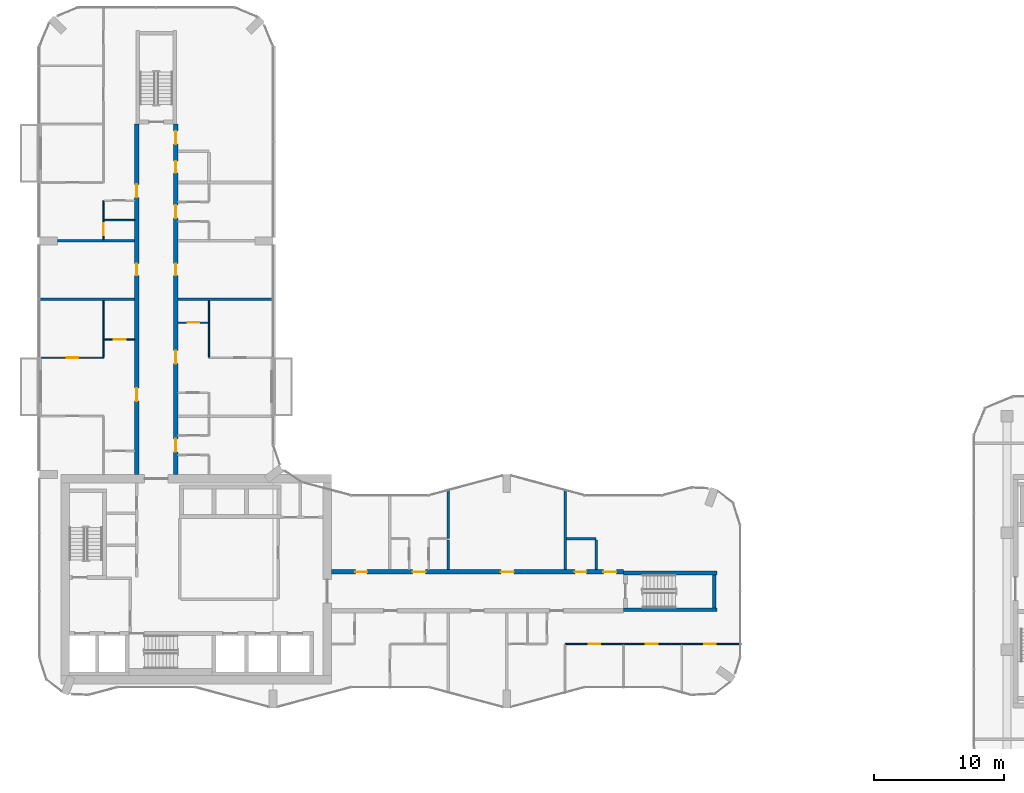
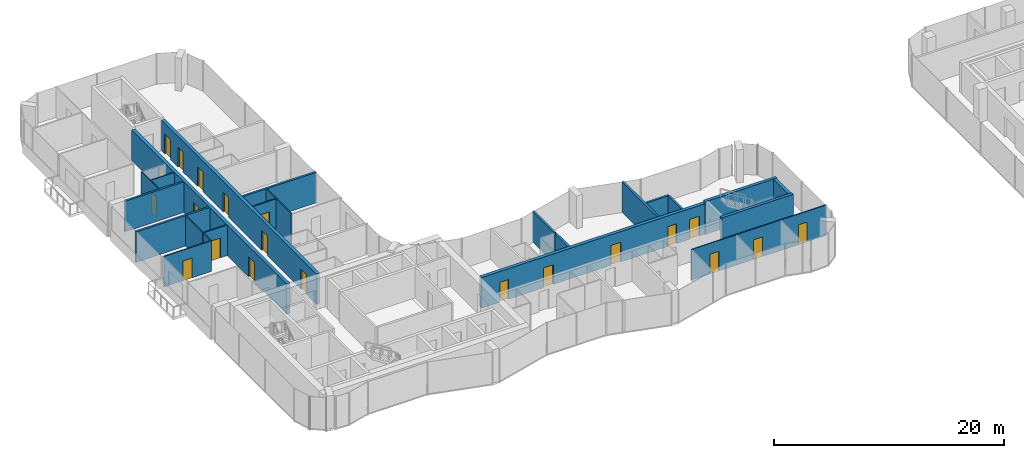
# One storey, part 15 of 22: 24 walls, 21 doors, 21 openings.
"""IFC4 building model written with IfcOpenShell, lengths in metres."""

from ifc_helpers import new_model, si_unit, direction, frame, frame_2d, origin, place, context, subcontext, project, spatial, rectangle, extrude, material, layer, layer_set, type_object, element, fill, save


model = new_model("IFC4")

# Units and contexts
model_context = context("Model", 3, precision=1e-05, world=origin(), true_north=direction((0.0, 1.0)))
body_context = subcontext(model_context, "Body", "Model", "MODEL_VIEW")
ifc_project = project(units=[si_unit("LENGTHUNIT", "METRE"), si_unit("AREAUNIT", "SQUARE_METRE"), si_unit("VOLUMEUNIT", "CUBIC_METRE"), si_unit("PLANEANGLEUNIT", "RADIAN"), si_unit("MASSUNIT", "GRAM", prefix="KILO")], contexts=[model_context])

# Site, building, storey
site_placement = place(None, origin())
site = spatial("IfcSite", under=ifc_project, at=site_placement, CompositionType="ELEMENT")
building_placement = place(site_placement, origin())
building = spatial("IfcBuilding", under=site, at=building_placement, Name="Plateau Cross Towers", CompositionType="ELEMENT")
storey_placement = place(building_placement, frame((0.0, 0.0, 109.800048828125)))
storey = spatial("IfcBuildingStorey", under=building, at=storey_placement, Name="L28", CompositionType="ELEMENT", Elevation=109.800048828125)

# Wall, openings, doors
ifc_material_1 = material(Name="Concrete C60/75", Category="concrete")
ifc_layer_1 = layer(ifc_material_1, 0.324951171875)
ifc_layer_set_1 = layer_set([ifc_layer_1], Name="Concrete C60/75")
wall_type_1 = type_object("IfcWallType", Name="Corridor wall 325", PredefinedType="SHEAR", material=ifc_layer_set_1)
wall_1_placement = place(storey_placement, frame((22.5, 10.5, 0.0), z_axis=(0.0, 0.0, 1.0), x_axis=(1.0, 0.0, 0.0)))
wall_1 = element("IfcWall", 1, at=wall_1_placement, inside=storey, type_object=wall_type_1, Name="A-cw-S2@L28", PredefinedType="SHEAR", context=body_context, shape_type="SweptSolid", body=[
    extrude(rectangle(XDim=22.5, YDim=0.324951171875, at=frame_2d((11.25, 0.0))), origin(), (0.0, 0.0, 1.0), 3.25),
])
opening_1_placement = place(wall_1_placement, frame((1.85009765625, 0.0, 0.0)))
opening_1 = element("IfcOpeningElement", 2, at=opening_1_placement, cuts=wall_1, Name="Opening 28-04", PredefinedType="OPENING", context=body_context, shape_type="SweptSolid", body=[
    extrude(rectangle(XDim=0.89990234375, YDim=2.10009765625, at=frame_2d((0.449951171875, 1.050048828125))), frame((0.0, 0.17236328125, 0.0), z_axis=(0.0, -1.0, 0.0), x_axis=(1.0, 0.0, 0.0)), (0.0, 0.0, 1.0), 0.344970703125),
])
opening_2_placement = place(wall_1_placement, frame((6.25, 0.0, 0.0)))
opening_2 = element("IfcOpeningElement", 3, at=opening_2_placement, cuts=wall_1, Name="Opening 28-05", PredefinedType="OPENING", context=body_context, shape_type="SweptSolid", body=[
    extrude(rectangle(XDim=1.0, YDim=2.10009765625, at=frame_2d((0.5, 1.050048828125))), frame((0.0, 0.17236328125, 0.0), z_axis=(0.0, -1.0, 0.0), x_axis=(1.0, 0.0, 0.0)), (0.0, 0.0, 1.0), 0.344970703125),
])
opening_3_placement = place(wall_1_placement, frame((13.050048828125, 0.0, 0.0)))
opening_3 = element("IfcOpeningElement", 4, at=opening_3_placement, cuts=wall_1, Name="Opening 28-06", PredefinedType="OPENING", context=body_context, shape_type="SweptSolid", body=[
    extrude(rectangle(XDim=1.0, YDim=2.10009765625, at=frame_2d((0.5, 1.050048828125))), frame((0.0, 0.17236328125, 0.0), z_axis=(0.0, -1.0, 0.0), x_axis=(1.0, 0.0, 0.0)), (0.0, 0.0, 1.0), 0.344970703125),
])
opening_4_placement = place(wall_1_placement, frame((18.75, 0.0, 0.0)))
opening_4 = element("IfcOpeningElement", 5, at=opening_4_placement, cuts=wall_1, Name="Opening 28-07", PredefinedType="OPENING", context=body_context, shape_type="SweptSolid", body=[
    extrude(rectangle(XDim=0.89990234375, YDim=2.10009765625, at=frame_2d((0.449951171875, 1.050048828125))), frame((0.0, 0.17236328125, 0.0), z_axis=(0.0, -1.0, 0.0), x_axis=(1.0, 0.0, 0.0)), (0.0, 0.0, 1.0), 0.344970703125),
])
opening_5_placement = place(wall_1_placement, frame((20.949951171875, 0.0, 0.0)))
opening_5 = element("IfcOpeningElement", 6, at=opening_5_placement, cuts=wall_1, Name="Opening 28-08", PredefinedType="OPENING", context=body_context, shape_type="SweptSolid", body=[
    extrude(rectangle(XDim=1.0, YDim=2.10009765625, at=frame_2d((0.5, 1.050048828125))), frame((0.0, 0.17236328125, 0.0), z_axis=(0.0, -1.0, 0.0), x_axis=(1.0, 0.0, 0.0)), (0.0, 0.0, 1.0), 0.344970703125),
])
ifc_material_2 = material(Name="Timber, fire-resisting leaf", Category="wood")
door_type_1 = type_object("IfcDoorType", Name="Flat entrance door 1000", OperationType="NOTDEFINED", PredefinedType="DOOR", material=ifc_material_2)
door_1_placement = place(opening_2_placement, origin())
door_1 = element("IfcDoor", 7, at=door_1_placement, inside=storey, type_object=door_type_1, Name="Door 28-05", OperationType="SINGLE_SWING_LEFT", OverallHeight=2.10009765625, OverallWidth=1.0, PredefinedType="DOOR", context=body_context, shape_type="SweptSolid", body=[
    extrude(rectangle(XDim=1.0, YDim=2.10009765625, at=frame_2d((0.5, 1.050048828125))), frame((0.0, 0.02490234375, 0.0), z_axis=(0.0, -1.0, 0.0), x_axis=(1.0, 0.0, 0.0)), (0.0, 0.0, 1.0), 0.050048828125),
])
fill(opening_2, door_1)
door_2_placement = place(opening_3_placement, origin())
door_2 = element("IfcDoor", 8, at=door_2_placement, inside=storey, type_object=door_type_1, Name="Door 28-06", OperationType="SINGLE_SWING_RIGHT", OverallHeight=2.10009765625, OverallWidth=1.0, PredefinedType="DOOR", context=body_context, shape_type="SweptSolid", body=[
    extrude(rectangle(XDim=1.0, YDim=2.10009765625, at=frame_2d((0.5, 1.050048828125))), frame((0.0, 0.02490234375, 0.0), z_axis=(0.0, -1.0, 0.0), x_axis=(1.0, 0.0, 0.0)), (0.0, 0.0, 1.0), 0.050048828125),
])
fill(opening_3, door_2)
door_3_placement = place(opening_5_placement, origin())
door_3 = element("IfcDoor", 9, at=door_3_placement, inside=storey, type_object=door_type_1, Name="Door 28-08", OperationType="SINGLE_SWING_RIGHT", OverallHeight=2.10009765625, OverallWidth=1.0, PredefinedType="DOOR", context=body_context, shape_type="SweptSolid", body=[
    extrude(rectangle(XDim=1.0, YDim=2.10009765625, at=frame_2d((0.5, 1.050048828125))), frame((0.0, 0.02490234375, 0.0), z_axis=(0.0, -1.0, 0.0), x_axis=(1.0, 0.0, 0.0)), (0.0, 0.0, 1.0), 0.050048828125),
])
fill(opening_5, door_3)
door_type_2 = type_object("IfcDoorType", Name="Flat floor service door 900", OperationType="NOTDEFINED", PredefinedType="DOOR", material=ifc_material_2)
door_4_placement = place(opening_1_placement, origin())
door_4 = element("IfcDoor", 10, at=door_4_placement, inside=storey, type_object=door_type_2, Name="Door 28-04", OperationType="SINGLE_SWING_LEFT", OverallHeight=2.10009765625, OverallWidth=0.89990234375, PredefinedType="DOOR", context=body_context, shape_type="SweptSolid", body=[
    extrude(rectangle(XDim=0.89990234375, YDim=2.10009765625, at=frame_2d((0.449951171875, 1.050048828125))), frame((0.0, 0.02490234375, 0.0), z_axis=(0.0, -1.0, 0.0), x_axis=(1.0, 0.0, 0.0)), (0.0, 0.0, 1.0), 0.050048828125),
])
fill(opening_1, door_4)
door_5_placement = place(opening_4_placement, origin())
door_5 = element("IfcDoor", 11, at=door_5_placement, inside=storey, type_object=door_type_2, Name="Door 28-07", OperationType="SINGLE_SWING_RIGHT", OverallHeight=2.10009765625, OverallWidth=0.89990234375, PredefinedType="DOOR", context=body_context, shape_type="SweptSolid", body=[
    extrude(rectangle(XDim=0.89990234375, YDim=2.10009765625, at=frame_2d((0.449951171875, 1.050048828125))), frame((0.0, 0.02490234375, 0.0), z_axis=(0.0, -1.0, 0.0), x_axis=(1.0, 0.0, 0.0)), (0.0, 0.0, 1.0), 0.050048828125),
])
fill(opening_4, door_5)

wall_2_placement = place(storey_placement, frame((7.5, 18.0, 0.0), z_axis=(0.0, 0.0, 1.0), x_axis=(0.0, 1.0, 0.0)))
wall_2 = element("IfcWall", 12, at=wall_2_placement, inside=storey, type_object=wall_type_1, Name="A-cw-W1@L28", PredefinedType="SHEAR", context=body_context, shape_type="SweptSolid", body=[
    extrude(rectangle(XDim=27.0, YDim=0.324951171875, at=frame_2d((13.5, 0.0))), origin(), (0.0, 0.0, 1.0), 3.25),
])
opening_6_placement = place(wall_2_placement, frame((5.64990234375, 0.0, 0.0)))
opening_6 = element("IfcOpeningElement", 13, at=opening_6_placement, cuts=wall_2, Name="Opening 28-09", PredefinedType="OPENING", context=body_context, shape_type="SweptSolid", body=[
    extrude(rectangle(XDim=1.0, YDim=2.10009765625, at=frame_2d((0.5, 1.050048828125))), frame((0.0, 0.17236328125, 0.0), z_axis=(0.0, -1.0, 0.0), x_axis=(1.0, 0.0, 0.0)), (0.0, 0.0, 1.0), 0.344970703125),
])
opening_7_placement = place(wall_2_placement, frame((15.35009765625, 0.0, 0.0)))
opening_7 = element("IfcOpeningElement", 14, at=opening_7_placement, cuts=wall_2, Name="Opening 28-10", PredefinedType="OPENING", context=body_context, shape_type="SweptSolid", body=[
    extrude(rectangle(XDim=0.89990234375, YDim=2.10009765625, at=frame_2d((0.449951171875, 1.050048828125))), frame((0.0, 0.17236328125, 0.0), z_axis=(0.0, -1.0, 0.0), x_axis=(1.0, 0.0, 0.0)), (0.0, 0.0, 1.0), 0.344970703125),
])
opening_8_placement = place(wall_2_placement, frame((21.35009765625, 0.0, 0.0)))
opening_8 = element("IfcOpeningElement", 15, at=opening_8_placement, cuts=wall_2, Name="Opening 28-11", PredefinedType="OPENING", context=body_context, shape_type="SweptSolid", body=[
    extrude(rectangle(XDim=1.0, YDim=2.10009765625, at=frame_2d((0.5, 1.050048828125))), frame((0.0, 0.17236328125, 0.0), z_axis=(0.0, -1.0, 0.0), x_axis=(1.0, 0.0, 0.0)), (0.0, 0.0, 1.0), 0.344970703125),
])
door_6_placement = place(opening_6_placement, origin())
door_6 = element("IfcDoor", 16, at=door_6_placement, inside=storey, type_object=door_type_1, Name="Door 28-09", OperationType="SINGLE_SWING_LEFT", OverallHeight=2.10009765625, OverallWidth=1.0, PredefinedType="DOOR", context=body_context, shape_type="SweptSolid", body=[
    extrude(rectangle(XDim=1.0, YDim=2.10009765625, at=frame_2d((0.5, 1.050048828125))), frame((0.0, 0.02490234375, 0.0), z_axis=(0.0, -1.0, 0.0), x_axis=(1.0, 0.0, 0.0)), (0.0, 0.0, 1.0), 0.050048828125),
])
fill(opening_6, door_6)
door_7_placement = place(opening_8_placement, origin())
door_7 = element("IfcDoor", 17, at=door_7_placement, inside=storey, type_object=door_type_1, Name="Door 28-11", OperationType="SINGLE_SWING_RIGHT", OverallHeight=2.10009765625, OverallWidth=1.0, PredefinedType="DOOR", context=body_context, shape_type="SweptSolid", body=[
    extrude(rectangle(XDim=1.0, YDim=2.10009765625, at=frame_2d((0.5, 1.050048828125))), frame((0.0, 0.02490234375, 0.0), z_axis=(0.0, -1.0, 0.0), x_axis=(1.0, 0.0, 0.0)), (0.0, 0.0, 1.0), 0.050048828125),
])
fill(opening_8, door_7)
door_8_placement = place(opening_7_placement, origin())
door_8 = element("IfcDoor", 18, at=door_8_placement, inside=storey, type_object=door_type_2, Name="Door 28-10", OperationType="SINGLE_SWING_RIGHT", OverallHeight=2.10009765625, OverallWidth=0.89990234375, PredefinedType="DOOR", context=body_context, shape_type="SweptSolid", body=[
    extrude(rectangle(XDim=0.89990234375, YDim=2.10009765625, at=frame_2d((0.449951171875, 1.050048828125))), frame((0.0, 0.02490234375, 0.0), z_axis=(0.0, -1.0, 0.0), x_axis=(1.0, 0.0, 0.0)), (0.0, 0.0, 1.0), 0.050048828125),
])
fill(opening_7, door_8)

wall_3_placement = place(storey_placement, frame((10.5, 18.0, 0.0), z_axis=(0.0, 0.0, 1.0), x_axis=(0.0, 1.0, 0.0)))
wall_3 = element("IfcWall", 19, at=wall_3_placement, inside=storey, type_object=wall_type_1, Name="A-cw-W2@L28", PredefinedType="SHEAR", context=body_context, shape_type="SweptSolid", body=[
    extrude(rectangle(XDim=27.0, YDim=0.324951171875, at=frame_2d((13.5, 0.0))), origin(), (0.0, 0.0, 1.0), 3.25),
])
opening_9_placement = place(wall_3_placement, frame((1.75, 0.0, 0.0)))
opening_9 = element("IfcOpeningElement", 20, at=opening_9_placement, cuts=wall_3, Name="Opening 28-12", PredefinedType="OPENING", context=body_context, shape_type="SweptSolid", body=[
    extrude(rectangle(XDim=1.0, YDim=2.10009765625, at=frame_2d((0.5, 1.050048828125))), frame((0.0, 0.17236328125, 0.0), z_axis=(0.0, -1.0, 0.0), x_axis=(1.0, 0.0, 0.0)), (0.0, 0.0, 1.0), 0.344970703125),
])
opening_10_placement = place(wall_3_placement, frame((8.550048828125, 0.0, 0.0)))
opening_10 = element("IfcOpeningElement", 21, at=opening_10_placement, cuts=wall_3, Name="Opening 28-13", PredefinedType="OPENING", context=body_context, shape_type="SweptSolid", body=[
    extrude(rectangle(XDim=1.0, YDim=2.10009765625, at=frame_2d((0.5, 1.050048828125))), frame((0.0, 0.17236328125, 0.0), z_axis=(0.0, -1.0, 0.0), x_axis=(1.0, 0.0, 0.0)), (0.0, 0.0, 1.0), 0.344970703125),
])
opening_11_placement = place(wall_3_placement, frame((15.35009765625, 0.0, 0.0)))
opening_11 = element("IfcOpeningElement", 22, at=opening_11_placement, cuts=wall_3, Name="Opening 28-14", PredefinedType="OPENING", context=body_context, shape_type="SweptSolid", body=[
    extrude(rectangle(XDim=0.89990234375, YDim=2.10009765625, at=frame_2d((0.449951171875, 1.050048828125))), frame((0.0, 0.17236328125, 0.0), z_axis=(0.0, -1.0, 0.0), x_axis=(1.0, 0.0, 0.0)), (0.0, 0.0, 1.0), 0.344970703125),
])
opening_12_placement = place(wall_3_placement, frame((19.75, 0.0, 0.0)))
opening_12 = element("IfcOpeningElement", 23, at=opening_12_placement, cuts=wall_3, Name="Opening 28-15", PredefinedType="OPENING", context=body_context, shape_type="SweptSolid", body=[
    extrude(rectangle(XDim=1.0, YDim=2.10009765625, at=frame_2d((0.5, 1.050048828125))), frame((0.0, 0.17236328125, 0.0), z_axis=(0.0, -1.0, 0.0), x_axis=(1.0, 0.0, 0.0)), (0.0, 0.0, 1.0), 0.344970703125),
])
opening_13_placement = place(wall_3_placement, frame((23.25, 0.0, 0.0)))
opening_13 = element("IfcOpeningElement", 24, at=opening_13_placement, cuts=wall_3, Name="Opening 28-16", PredefinedType="OPENING", context=body_context, shape_type="SweptSolid", body=[
    extrude(rectangle(XDim=0.89990234375, YDim=2.10009765625, at=frame_2d((0.449951171875, 1.050048828125))), frame((0.0, 0.17236328125, 0.0), z_axis=(0.0, -1.0, 0.0), x_axis=(1.0, 0.0, 0.0)), (0.0, 0.0, 1.0), 0.344970703125),
])
opening_14_placement = place(wall_3_placement, frame((25.449951171875, 0.0, 0.0)))
opening_14 = element("IfcOpeningElement", 25, at=opening_14_placement, cuts=wall_3, Name="Opening 28-17", PredefinedType="OPENING", context=body_context, shape_type="SweptSolid", body=[
    extrude(rectangle(XDim=1.0, YDim=2.10009765625, at=frame_2d((0.5, 1.050048828125))), frame((0.0, 0.17236328125, 0.0), z_axis=(0.0, -1.0, 0.0), x_axis=(1.0, 0.0, 0.0)), (0.0, 0.0, 1.0), 0.344970703125),
])
door_9_placement = place(opening_9_placement, origin())
door_9 = element("IfcDoor", 26, at=door_9_placement, inside=storey, type_object=door_type_1, Name="Door 28-12", OperationType="SINGLE_SWING_LEFT", OverallHeight=2.10009765625, OverallWidth=1.0, PredefinedType="DOOR", context=body_context, shape_type="SweptSolid", body=[
    extrude(rectangle(XDim=1.0, YDim=2.10009765625, at=frame_2d((0.5, 1.050048828125))), frame((0.0, 0.02490234375, 0.0), z_axis=(0.0, -1.0, 0.0), x_axis=(1.0, 0.0, 0.0)), (0.0, 0.0, 1.0), 0.050048828125),
])
fill(opening_9, door_9)
door_10_placement = place(opening_10_placement, origin())
door_10 = element("IfcDoor", 27, at=door_10_placement, inside=storey, type_object=door_type_1, Name="Door 28-13", OperationType="SINGLE_SWING_LEFT", OverallHeight=2.10009765625, OverallWidth=1.0, PredefinedType="DOOR", context=body_context, shape_type="SweptSolid", body=[
    extrude(rectangle(XDim=1.0, YDim=2.10009765625, at=frame_2d((0.5, 1.050048828125))), frame((0.0, 0.02490234375, 0.0), z_axis=(0.0, -1.0, 0.0), x_axis=(1.0, 0.0, 0.0)), (0.0, 0.0, 1.0), 0.050048828125),
])
fill(opening_10, door_10)
door_11_placement = place(opening_12_placement, origin())
door_11 = element("IfcDoor", 28, at=door_11_placement, inside=storey, type_object=door_type_1, Name="Door 28-15", OperationType="SINGLE_SWING_RIGHT", OverallHeight=2.10009765625, OverallWidth=1.0, PredefinedType="DOOR", context=body_context, shape_type="SweptSolid", body=[
    extrude(rectangle(XDim=1.0, YDim=2.10009765625, at=frame_2d((0.5, 1.050048828125))), frame((0.0, 0.02490234375, 0.0), z_axis=(0.0, -1.0, 0.0), x_axis=(1.0, 0.0, 0.0)), (0.0, 0.0, 1.0), 0.050048828125),
])
fill(opening_12, door_11)
door_12_placement = place(opening_14_placement, origin())
door_12 = element("IfcDoor", 29, at=door_12_placement, inside=storey, type_object=door_type_1, Name="Door 28-17", OperationType="SINGLE_SWING_RIGHT", OverallHeight=2.10009765625, OverallWidth=1.0, PredefinedType="DOOR", context=body_context, shape_type="SweptSolid", body=[
    extrude(rectangle(XDim=1.0, YDim=2.10009765625, at=frame_2d((0.5, 1.050048828125))), frame((0.0, 0.02490234375, 0.0), z_axis=(0.0, -1.0, 0.0), x_axis=(1.0, 0.0, 0.0)), (0.0, 0.0, 1.0), 0.050048828125),
])
fill(opening_14, door_12)
door_13_placement = place(opening_11_placement, origin())
door_13 = element("IfcDoor", 30, at=door_13_placement, inside=storey, type_object=door_type_2, Name="Door 28-14", OperationType="SINGLE_SWING_RIGHT", OverallHeight=2.10009765625, OverallWidth=0.89990234375, PredefinedType="DOOR", context=body_context, shape_type="SweptSolid", body=[
    extrude(rectangle(XDim=0.89990234375, YDim=2.10009765625, at=frame_2d((0.449951171875, 1.050048828125))), frame((0.0, 0.02490234375, 0.0), z_axis=(0.0, -1.0, 0.0), x_axis=(1.0, 0.0, 0.0)), (0.0, 0.0, 1.0), 0.050048828125),
])
fill(opening_11, door_13)
door_14_placement = place(opening_13_placement, origin())
door_14 = element("IfcDoor", 31, at=door_14_placement, inside=storey, type_object=door_type_2, Name="Door 28-16", OperationType="SINGLE_SWING_RIGHT", OverallHeight=2.10009765625, OverallWidth=0.89990234375, PredefinedType="DOOR", context=body_context, shape_type="SweptSolid", body=[
    extrude(rectangle(XDim=0.89990234375, YDim=2.10009765625, at=frame_2d((0.449951171875, 1.050048828125))), frame((0.0, 0.02490234375, 0.0), z_axis=(0.0, -1.0, 0.0), x_axis=(1.0, 0.0, 0.0)), (0.0, 0.0, 1.0), 0.050048828125),
])
fill(opening_13, door_14)

ifc_material_3 = material(Name="Gypsum board on steel studs", Category="steel")
ifc_layer_2 = layer(ifc_material_3, 0.10009765625)
ifc_layer_set_2 = layer_set([ifc_layer_2], Name="Gypsum board on steel studs")
wall_type_2 = type_object("IfcWallType", Name="Flat partition 100", PredefinedType="PARTITIONING", material=ifc_layer_set_2)
wall_4_placement = place(storey_placement, frame((54.080078125, 4.9375, 0.0), z_axis=(0.0, 0.0, 1.0), x_axis=(-1.0, 0.0, 0.0)))
wall_4 = element("IfcWall", 32, at=wall_4_placement, inside=storey, type_object=wall_type_2, Name="Partition wall", PredefinedType="PARTITIONING", context=body_context, shape_type="SweptSolid", body=[
    extrude(rectangle(XDim=13.580078125, YDim=0.10009765625, at=frame_2d((6.7900390625, 0.0))), origin(), (0.0, 0.0, 1.0), 3.25),
])
opening_15_placement = place(wall_4_placement, frame((10.85009765625, 0.0, 0.0)))
opening_15 = element("IfcOpeningElement", 33, at=opening_15_placement, cuts=wall_4, Name="Opening 28-23", PredefinedType="OPENING", context=body_context, shape_type="SweptSolid", body=[
    extrude(rectangle(XDim=0.89990234375, YDim=2.10009765625, at=frame_2d((0.449951171875, 1.050048828125))), frame((0.0, 0.06005859375, 0.0), z_axis=(0.0, -1.0, 0.0), x_axis=(1.0, 0.0, 0.0)), (0.0, 0.0, 1.0), 0.1201171875),
])
opening_16_placement = place(wall_4_placement, frame((6.449951171875, 0.0, 0.0)))
opening_16 = element("IfcOpeningElement", 34, at=opening_16_placement, cuts=wall_4, Name="Opening 28-24", PredefinedType="OPENING", context=body_context, shape_type="SweptSolid", body=[
    extrude(rectangle(XDim=0.89990234375, YDim=2.10009765625, at=frame_2d((0.449951171875, 1.050048828125))), frame((0.0, 0.06005859375, 0.0), z_axis=(0.0, -1.0, 0.0), x_axis=(1.0, 0.0, 0.0)), (0.0, 0.0, 1.0), 0.1201171875),
])
opening_17_placement = place(wall_4_placement, frame((1.949951171875, 0.0, 0.0)))
opening_17 = element("IfcOpeningElement", 35, at=opening_17_placement, cuts=wall_4, Name="Opening 28-25", PredefinedType="OPENING", context=body_context, shape_type="SweptSolid", body=[
    extrude(rectangle(XDim=0.89990234375, YDim=2.10009765625, at=frame_2d((0.449951171875, 1.050048828125))), frame((0.0, 0.06005859375, 0.0), z_axis=(0.0, -1.0, 0.0), x_axis=(1.0, 0.0, 0.0)), (0.0, 0.0, 1.0), 0.1201171875),
])
ifc_material_4 = material(Name="Timber leaf", Category="wood")
door_type_3 = type_object("IfcDoorType", Name="Flat room door 900", OperationType="NOTDEFINED", PredefinedType="DOOR", material=ifc_material_4)
door_15_placement = place(opening_15_placement, origin())
door_15 = element("IfcDoor", 36, at=door_15_placement, inside=storey, type_object=door_type_3, Name="Door 28-23", OperationType="SINGLE_SWING_RIGHT", OverallHeight=2.10009765625, OverallWidth=0.89990234375, PredefinedType="DOOR", context=body_context, shape_type="SweptSolid", body=[
    extrude(rectangle(XDim=0.89990234375, YDim=2.10009765625, at=frame_2d((0.449951171875, 1.050048828125))), frame((0.0, 0.02490234375, 0.0), z_axis=(0.0, -1.0, 0.0), x_axis=(1.0, 0.0, 0.0)), (0.0, 0.0, 1.0), 0.050048828125),
])
fill(opening_15, door_15)
door_16_placement = place(opening_16_placement, origin())
door_16 = element("IfcDoor", 37, at=door_16_placement, inside=storey, type_object=door_type_3, Name="Door 28-24", OperationType="SINGLE_SWING_RIGHT", OverallHeight=2.10009765625, OverallWidth=0.89990234375, PredefinedType="DOOR", context=body_context, shape_type="SweptSolid", body=[
    extrude(rectangle(XDim=0.89990234375, YDim=2.10009765625, at=frame_2d((0.449951171875, 1.050048828125))), frame((0.0, 0.02490234375, 0.0), z_axis=(0.0, -1.0, 0.0), x_axis=(1.0, 0.0, 0.0)), (0.0, 0.0, 1.0), 0.050048828125),
])
fill(opening_16, door_16)
door_17_placement = place(opening_17_placement, origin())
door_17 = element("IfcDoor", 38, at=door_17_placement, inside=storey, type_object=door_type_3, Name="Door 28-25", OperationType="SINGLE_SWING_LEFT", OverallHeight=2.10009765625, OverallWidth=0.89990234375, PredefinedType="DOOR", context=body_context, shape_type="SweptSolid", body=[
    extrude(rectangle(XDim=0.89990234375, YDim=2.10009765625, at=frame_2d((0.449951171875, 1.050048828125))), frame((0.0, 0.02490234375, 0.0), z_axis=(0.0, -1.0, 0.0), x_axis=(1.0, 0.0, 0.0)), (0.0, 0.0, 1.0), 0.050048828125),
])
fill(opening_17, door_17)

# Wall, opening, door
wall_5_placement = place(storey_placement, frame((0.14990234375, 27.0, 0.0), z_axis=(0.0, 0.0, 1.0), x_axis=(1.0, 0.0, 0.0)))
wall_5 = element("IfcWall", 39, at=wall_5_placement, inside=storey, type_object=wall_type_2, Name="Partition wall", PredefinedType="PARTITIONING", context=body_context, shape_type="SweptSolid", body=[
    extrude(rectangle(XDim=4.78759765625, YDim=0.10009765625, at=frame_2d((2.393798828125, 0.0))), origin(), (0.0, 0.0, 1.0), 3.25),
])
opening_18_placement = place(wall_5_placement, frame((1.949951171875, 0.0, 0.0)))
opening_18 = element("IfcOpeningElement", 40, at=opening_18_placement, cuts=wall_5, Name="Opening 28-31", PredefinedType="OPENING", context=body_context, shape_type="SweptSolid", body=[
    extrude(rectangle(XDim=0.89990234375, YDim=2.10009765625, at=frame_2d((0.449951171875, 1.050048828125))), frame((0.0, 0.06005859375, 0.0), z_axis=(0.0, -1.0, 0.0), x_axis=(1.0, 0.0, 0.0)), (0.0, 0.0, 1.0), 0.1201171875),
])
door_18_placement = place(opening_18_placement, origin())
door_18 = element("IfcDoor", 41, at=door_18_placement, inside=storey, type_object=door_type_3, Name="Door 28-31", OperationType="SINGLE_SWING_RIGHT", OverallHeight=2.10009765625, OverallWidth=0.89990234375, PredefinedType="DOOR", context=body_context, shape_type="SweptSolid", body=[
    extrude(rectangle(XDim=0.89990234375, YDim=2.10009765625, at=frame_2d((0.449951171875, 1.050048828125))), frame((0.0, 0.02490234375, 0.0), z_axis=(0.0, -1.0, 0.0), x_axis=(1.0, 0.0, 0.0)), (0.0, 0.0, 1.0), 0.050048828125),
])
fill(opening_18, door_18)

wall_6_placement = place(storey_placement, frame((4.987548828125, 28.39990234375, 0.0), z_axis=(0.0, 0.0, 1.0), x_axis=(1.0, 0.0, 0.0)))
wall_6 = element("IfcWall", 42, at=wall_6_placement, inside=storey, type_object=wall_type_2, Name="Partition wall", PredefinedType="PARTITIONING", context=body_context, shape_type="SweptSolid", body=[
    extrude(rectangle(XDim=2.349853515625, YDim=0.10009765625, at=frame_2d((1.1748046875, 0.0))), origin(), (0.0, 0.0, 1.0), 3.25),
])
opening_19_placement = place(wall_6_placement, frame((0.75, 0.0, 0.0)))
opening_19 = element("IfcOpeningElement", 43, at=opening_19_placement, cuts=wall_6, Name="Opening 28-29", PredefinedType="OPENING", context=body_context, shape_type="SweptSolid", body=[
    extrude(rectangle(XDim=0.89990234375, YDim=2.10009765625, at=frame_2d((0.449951171875, 1.050048828125))), frame((0.0, 0.06005859375, 0.0), z_axis=(0.0, -1.0, 0.0), x_axis=(1.0, 0.0, 0.0)), (0.0, 0.0, 1.0), 0.1201171875),
])
door_19_placement = place(opening_19_placement, origin())
door_19 = element("IfcDoor", 44, at=door_19_placement, inside=storey, type_object=door_type_3, Name="Door 28-29", OperationType="SINGLE_SWING_RIGHT", OverallHeight=2.10009765625, OverallWidth=0.89990234375, PredefinedType="DOOR", context=body_context, shape_type="SweptSolid", body=[
    extrude(rectangle(XDim=0.89990234375, YDim=2.10009765625, at=frame_2d((0.449951171875, 1.050048828125))), frame((0.0, 0.02490234375, 0.0), z_axis=(0.0, -1.0, 0.0), x_axis=(1.0, 0.0, 0.0)), (0.0, 0.0, 1.0), 0.050048828125),
])
fill(opening_19, door_19)

wall_7_placement = place(storey_placement, frame((10.66259765625, 29.699951171875, 0.0), z_axis=(0.0, 0.0, 1.0), x_axis=(1.0, 0.0, 0.0)))
wall_7 = element("IfcWall", 45, at=wall_7_placement, inside=storey, type_object=wall_type_2, Name="Partition wall", PredefinedType="PARTITIONING", context=body_context, shape_type="SweptSolid", body=[
    extrude(rectangle(XDim=2.349853515625, YDim=0.10009765625, at=frame_2d((1.1748046875, 0.0))), origin(), (0.0, 0.0, 1.0), 3.25),
])
opening_20_placement = place(wall_7_placement, frame((0.75, 0.0, 0.0)))
opening_20 = element("IfcOpeningElement", 46, at=opening_20_placement, cuts=wall_7, Name="Opening 28-40", PredefinedType="OPENING", context=body_context, shape_type="SweptSolid", body=[
    extrude(rectangle(XDim=0.89990234375, YDim=2.10009765625, at=frame_2d((0.449951171875, 1.050048828125))), frame((0.0, 0.06005859375, 0.0), z_axis=(0.0, -1.0, 0.0), x_axis=(1.0, 0.0, 0.0)), (0.0, 0.0, 1.0), 0.1201171875),
])
door_20_placement = place(opening_20_placement, origin())
door_20 = element("IfcDoor", 47, at=door_20_placement, inside=storey, type_object=door_type_3, Name="Door 28-40", OperationType="SINGLE_SWING_RIGHT", OverallHeight=2.10009765625, OverallWidth=0.89990234375, PredefinedType="DOOR", context=body_context, shape_type="SweptSolid", body=[
    extrude(rectangle(XDim=0.89990234375, YDim=2.10009765625, at=frame_2d((0.449951171875, 1.050048828125))), frame((0.0, 0.02490234375, 0.0), z_axis=(0.0, -1.0, 0.0), x_axis=(1.0, 0.0, 0.0)), (0.0, 0.0, 1.0), 0.050048828125),
])
fill(opening_20, door_20)

# Walls
wall_8_placement = place(storey_placement, frame((7.33740234375, 37.60009765625, 0.0), z_axis=(0.0, 0.0, 1.0), x_axis=(-1.0, 0.0, 0.0)))
element("IfcWall", 48, at=wall_8_placement, inside=storey, type_object=wall_type_2, Name="Partition wall", PredefinedType="PARTITIONING", context=body_context, shape_type="SweptSolid", body=[
    extrude(rectangle(XDim=2.349853515625, YDim=0.10009765625, at=frame_2d((1.1748046875, 0.0))), origin(), (0.0, 0.0, 1.0), 3.25),
])
wall_9_placement = place(storey_placement, frame((4.9375, 31.39990234375, 0.0), z_axis=(0.0, 0.0, 1.0), x_axis=(0.0, -1.0, 0.0)))
element("IfcWall", 49, at=wall_9_placement, inside=storey, type_object=wall_type_2, Name="Partition wall", PredefinedType="PARTITIONING", context=body_context, shape_type="SweptSolid", body=[
    extrude(rectangle(XDim=3.0, YDim=0.10009765625, at=frame_2d((1.5, 0.0))), origin(), (0.0, 0.0, 1.0), 3.25),
])

# Wall, opening, door
wall_10_placement = place(storey_placement, frame((4.9375, 39.10009765625, 0.0), z_axis=(0.0, 0.0, 1.0), x_axis=(0.0, -1.0, 0.0)))
wall_10 = element("IfcWall", 50, at=wall_10_placement, inside=storey, type_object=wall_type_2, Name="Partition wall", PredefinedType="PARTITIONING", context=body_context, shape_type="SweptSolid", body=[
    extrude(rectangle(XDim=3.0, YDim=0.10009765625, at=frame_2d((1.5, 0.0))), origin(), (0.0, 0.0, 1.0), 3.25),
])
opening_21_placement = place(wall_10_placement, frame((1.75, 0.0, 0.0)))
opening_21 = element("IfcOpeningElement", 51, at=opening_21_placement, cuts=wall_10, Name="Opening 28-32", PredefinedType="OPENING", context=body_context, shape_type="SweptSolid", body=[
    extrude(rectangle(XDim=0.89990234375, YDim=2.10009765625, at=frame_2d((0.449951171875, 1.050048828125))), frame((0.0, 0.06005859375, 0.0), z_axis=(0.0, -1.0, 0.0), x_axis=(1.0, 0.0, 0.0)), (0.0, 0.0, 1.0), 0.1201171875),
])
door_21_placement = place(opening_21_placement, origin())
door_21 = element("IfcDoor", 52, at=door_21_placement, inside=storey, type_object=door_type_3, Name="Door 28-32", OperationType="SINGLE_SWING_RIGHT", OverallHeight=2.10009765625, OverallWidth=0.89990234375, PredefinedType="DOOR", context=body_context, shape_type="SweptSolid", body=[
    extrude(rectangle(XDim=0.89990234375, YDim=2.10009765625, at=frame_2d((0.449951171875, 1.050048828125))), frame((0.0, 0.02490234375, 0.0), z_axis=(0.0, -1.0, 0.0), x_axis=(1.0, 0.0, 0.0)), (0.0, 0.0, 1.0), 0.050048828125),
])
fill(opening_21, door_21)

# Walls
wall_11_placement = place(storey_placement, frame((4.9375, 27.050048828125, 0.0), z_axis=(0.0, 0.0, 1.0), x_axis=(0.0, 1.0, 0.0)))
element("IfcWall", 53, at=wall_11_placement, inside=storey, type_object=wall_type_2, Name="Partition wall", PredefinedType="PARTITIONING", context=body_context, shape_type="SweptSolid", body=[
    extrude(rectangle(XDim=1.300048828125, YDim=0.10009765625, at=frame_2d((0.64990234375, 0.0))), origin(), (0.0, 0.0, 1.0), 3.25),
])
wall_12_placement = place(storey_placement, frame((13.0625, 29.699951171875, 0.0), z_axis=(0.0, 0.0, 1.0), x_axis=(0.0, -1.0, 0.0)))
element("IfcWall", 54, at=wall_12_placement, inside=storey, type_object=wall_type_2, Name="Partition wall", PredefinedType="PARTITIONING", context=body_context, shape_type="SweptSolid", body=[
    extrude(rectangle(XDim=2.64990234375, YDim=0.10009765625, at=frame_2d((1.324951171875, 0.0))), origin(), (0.0, 0.0, 1.0), 3.25),
])
wall_13_placement = place(storey_placement, frame((13.0625, 29.75, 0.0), z_axis=(0.0, 0.0, 1.0), x_axis=(0.0, 1.0, 0.0)))
element("IfcWall", 55, at=wall_13_placement, inside=storey, type_object=wall_type_2, Name="Partition wall", PredefinedType="PARTITIONING", context=body_context, shape_type="SweptSolid", body=[
    extrude(rectangle(XDim=1.64990234375, YDim=0.10009765625, at=frame_2d((0.824951171875, 0.0))), origin(), (0.0, 0.0, 1.0), 3.25),
])
ifc_material_5 = material(Name="Gypsum board on steel studs, two layers each side", Category="steel")
ifc_layer_3 = layer(ifc_material_5, 0.199951171875)
ifc_layer_set_3 = layer_set([ifc_layer_3], Name="Gypsum board on steel studs, two layers each side")
wall_type_3 = type_object("IfcWallType", Name="Flat party wall 200", PredefinedType="PARTITIONING", material=ifc_layer_set_3)
wall_14_placement = place(storey_placement, frame((42.89990234375, 13.0625, 0.0), z_axis=(0.0, 0.0, 1.0), x_axis=(-1.0, 0.0, 0.0)))
element("IfcWall", 56, at=wall_14_placement, inside=storey, type_object=wall_type_3, Name="Party wall", PredefinedType="PARTITIONING", context=body_context, shape_type="SweptSolid", body=[
    extrude(rectangle(XDim=2.2998046875, YDim=0.199951171875, at=frame_2d((1.14990234375, 0.0))), origin(), (0.0, 0.0, 1.0), 3.25),
])
for number, where, z_axis, x_axis, name in (
    (57, (7.33740234375, 31.5, 0.0), (0.0, 0.0, 1.0), (-1.0, 0.0, 0.0), "Party wall"),
    (58, (18.080078125, 31.5, 0.0), (0.0, 0.0, 1.0), (-1.0, 0.0, 0.0), "Party wall"),
):
    element("IfcWall", number, at=place(storey_placement, frame(where, z_axis=z_axis, x_axis=x_axis)), inside=storey, type_object=wall_type_3, Name=name, PredefinedType="PARTITIONING", context=body_context, shape_type="SweptSolid", body=[
        extrude(rectangle(XDim=7.41748046875, YDim=0.199951171875, at=frame_2d((3.708740234375, 0.0))), origin(), (0.0, 0.0, 1.0), 3.25),
    ])
wall_15_placement = place(storey_placement, frame((7.33740234375, 36.0, 0.0), z_axis=(0.0, 0.0, 1.0), x_axis=(-1.0, 0.0, 0.0)))
element("IfcWall", 59, at=wall_15_placement, inside=storey, type_object=wall_type_3, Name="Party wall", PredefinedType="PARTITIONING", context=body_context, shape_type="SweptSolid", body=[
    extrude(rectangle(XDim=5.9375, YDim=0.199951171875, at=frame_2d((2.96875, 0.0))), origin(), (0.0, 0.0, 1.0), 3.25),
])
wall_16_placement = place(storey_placement, frame((31.5, 16.877685546875, 0.0), z_axis=(0.0, 0.0, 1.0), x_axis=(0.0, -1.0, 0.0)))
element("IfcWall", 60, at=wall_16_placement, inside=storey, type_object=wall_type_3, Name="Party wall", PredefinedType="PARTITIONING", context=body_context, shape_type="SweptSolid", body=[
    extrude(rectangle(XDim=3.815185546875, YDim=0.199951171875, at=frame_2d((1.90771484375, 0.0))), origin(), (0.0, 0.0, 1.0), 3.25),
])
wall_17_placement = place(storey_placement, frame((31.5, 10.66259765625, 0.0), z_axis=(0.0, 0.0, 1.0), x_axis=(0.0, 1.0, 0.0)))
element("IfcWall", 61, at=wall_17_placement, inside=storey, type_object=wall_type_3, Name="Party wall", PredefinedType="PARTITIONING", context=body_context, shape_type="SweptSolid", body=[
    extrude(rectangle(XDim=2.2998046875, YDim=0.199951171875, at=frame_2d((1.14990234375, 0.0))), origin(), (0.0, 0.0, 1.0), 3.25),
])
wall_18_placement = place(storey_placement, frame((40.5, 10.66259765625, 0.0), z_axis=(0.0, 0.0, 1.0), x_axis=(0.0, 1.0, 0.0)))
element("IfcWall", 62, at=wall_18_placement, inside=storey, type_object=wall_type_3, Name="Party wall", PredefinedType="PARTITIONING", context=body_context, shape_type="SweptSolid", body=[
    extrude(rectangle(XDim=6.215087890625, YDim=0.199951171875, at=frame_2d((3.107421875, 0.0))), origin(), (0.0, 0.0, 1.0), 3.25),
])
wall_19_placement = place(storey_placement, frame((42.89990234375, 10.66259765625, 0.0), z_axis=(0.0, 0.0, 1.0), x_axis=(0.0, 1.0, 0.0)))
element("IfcWall", 63, at=wall_19_placement, inside=storey, type_object=wall_type_3, Name="Party wall", PredefinedType="PARTITIONING", context=body_context, shape_type="SweptSolid", body=[
    extrude(rectangle(XDim=2.2998046875, YDim=0.199951171875, at=frame_2d((1.14990234375, 0.0))), origin(), (0.0, 0.0, 1.0), 3.25),
])
ifc_layer_4 = layer(ifc_material_1, 0.300048828125)
ifc_layer_set_4 = layer_set([ifc_layer_4], Name="Concrete C60/75")
wall_type_4 = type_object("IfcWallType", Name="Stair tower wall 300", PredefinedType="SHEAR", material=ifc_layer_set_4)
wall_20_placement = place(storey_placement, frame((52.0, 7.72509765625, 0.0), z_axis=(0.0, 0.0, 1.0), x_axis=(0.0, 1.0, 0.0)))
element("IfcWall", 64, at=wall_20_placement, inside=storey, type_object=wall_type_4, Name="A-end-E-E@L28", PredefinedType="SHEAR", context=body_context, shape_type="SweptSolid", body=[
    extrude(rectangle(XDim=2.5498046875, YDim=0.300048828125, at=frame_2d((1.27490234375, 0.0))), origin(), (0.0, 0.0, 1.0), 3.5),
])
for number, where, z_axis, x_axis, name in (
    (65, (45.0, 7.574951171875, 0.0), (0.0, 0.0, 1.0), (1.0, 0.0, 0.0), "A-end-E-S@L28"),
    (66, (45.0, 10.425048828125, 0.0), (0.0, 0.0, 1.0), (1.0, 0.0, 0.0), "A-end-E-N@L28"),
):
    element("IfcWall", number, at=place(storey_placement, frame(where, z_axis=z_axis, x_axis=x_axis)), inside=storey, type_object=wall_type_4, Name=name, PredefinedType="SHEAR", context=body_context, shape_type="SweptSolid", body=[
        extrude(rectangle(XDim=7.199951171875, YDim=0.300048828125, at=frame_2d((3.60009765625, 0.0))), origin(), (0.0, 0.0, 1.0), 3.5),
    ])

save(model, "model.ifc")
